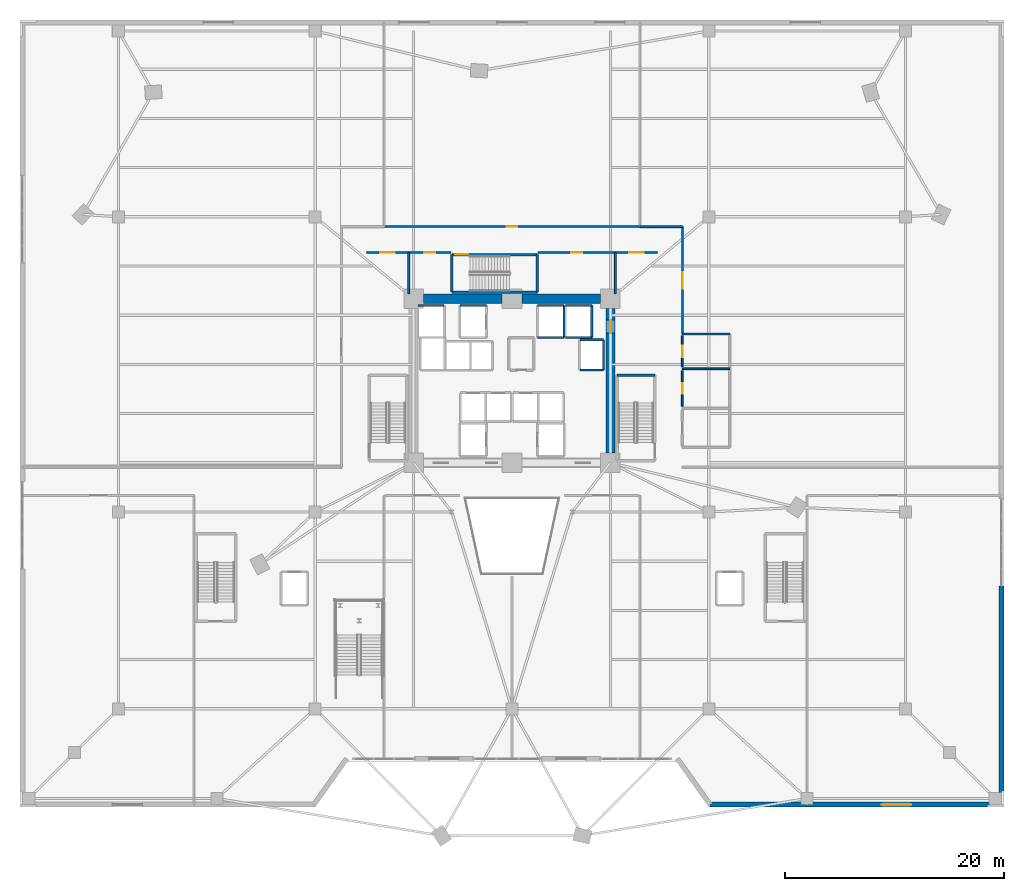
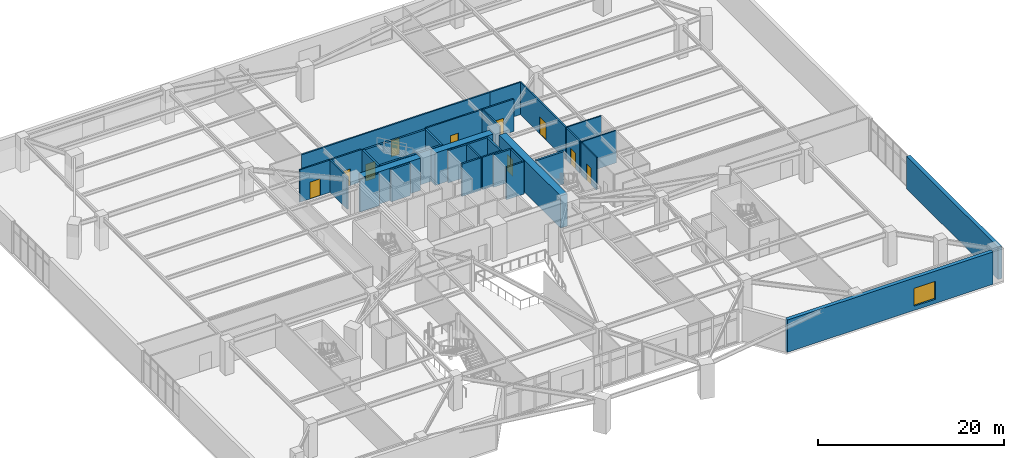
# One storey, part 21 of 29: 34 walls, 10 doors, 1 window, 11 openings.
"""IFC4 building model written with IfcOpenShell, lengths in metres."""

from ifc_helpers import new_model, si_unit, direction, frame, frame_2d, origin, place, context, subcontext, project, spatial, rectangle, extrude, source, transform, mapped, material, layer, layer_set, type_object, element, fill, save


model = new_model("IFC4")

# Units and contexts
model_context = context("Model", 3, precision=1e-05, world=origin(), true_north=direction((0.0, 1.0)))
body_context = subcontext(model_context, "Body", "Model", "MODEL_VIEW")
ifc_project = project(units=[si_unit("LENGTHUNIT", "METRE"), si_unit("AREAUNIT", "SQUARE_METRE"), si_unit("VOLUMEUNIT", "CUBIC_METRE"), si_unit("PLANEANGLEUNIT", "RADIAN"), si_unit("MASSUNIT", "GRAM", prefix="KILO")], contexts=[model_context])

# Site, building, storey
site_placement = place(None, origin())
site = spatial("IfcSite", under=ifc_project, at=site_placement, CompositionType="ELEMENT")
building_placement = place(site_placement, origin())
building = spatial("IfcBuilding", under=site, at=building_placement, Name="Liaohun Quay Tower", CompositionType="ELEMENT")
storey_placement = place(building_placement, frame((0.0, 0.0, 5.39990234375)))
storey = spatial("IfcBuildingStorey", under=building, at=storey_placement, Name="L02", CompositionType="ELEMENT", Elevation=5.39990234375)

# Walls
ifc_material_1 = material(Name="Concrete C60", Category="concrete")
ifc_layer_1 = layer(ifc_material_1, 0.85009765625, Name="Concrete C60", Category="concrete")
ifc_layer_set_1 = layer_set([ifc_layer_1], Name="Concrete C60")
wall_type_1 = type_object("IfcWallType", Name="WAL-COR-Z1", PredefinedType="SHEAR", material=ifc_layer_set_1)
for number, where, z_axis, x_axis, name in (
    (1, (51.89990234375, 61.5, 0.0), (0.0, 0.0, 1.0), (1.0, 0.0, 0.0), "L02 Central Core Shear Wall N-W"),
    (2, (60.89990234375, 61.5, 0.0), (0.0, 0.0, 1.0), (1.0, 0.0, 0.0), "L02 Central Core Shear Wall N-E"),
):
    element("IfcWall", number, at=place(storey_placement, frame(where, z_axis=z_axis, x_axis=x_axis)), inside=storey, type_object=wall_type_1, Name=name, PredefinedType="SHEAR", context=body_context, shape_type="SweptSolid", body=[
        extrude(rectangle(XDim=7.2001953125, YDim=0.85009765625, at=frame_2d((3.60009765625, 0.0))), origin(), (0.0, 0.0, 1.0), 4.25),
    ])

# Wall, opening, door
wall_1_placement = place(storey_placement, frame((69.0, 60.60009765625, 0.0), z_axis=(0.0, 0.0, 1.0), x_axis=(0.0, -1.0, 0.0)))
wall_1 = element("IfcWall", 3, at=wall_1_placement, inside=storey, type_object=wall_type_1, Name="L02 Central Core Shear Wall E", PredefinedType="SHEAR", context=body_context, shape_type="SweptSolid", body=[
    extrude(rectangle(XDim=13.2001953125, YDim=0.85009765625, at=frame_2d((6.60009765625, 0.0))), origin(), (0.0, 0.0, 1.0), 4.25),
])
shared_shape_1 = source(origin(), body_context, "Body", "SweptSolid", [
    extrude(rectangle(XDim=1.199951171875, YDim=2.199951171875, at=frame_2d((0.60009765625, 1.10009765625))), frame((0.0, 0.43505859375, 0.0), z_axis=(0.0, -1.0, 0.0), x_axis=(1.0, 0.0, 0.0)), (0.0, 0.0, 1.0), 0.8701171875),
])
opening_1_placement = place(wall_1_placement, frame((1.050048828125, 0.0, 0.0)))
opening_1 = element("IfcOpeningElement", 4, at=opening_1_placement, cuts=wall_1, Name="Opening SD1", PredefinedType="OPENING", context=body_context, shape_type="MappedRepresentation", body=[
    mapped(shared_shape_1, transform((0.0, 0.0, 0.0), x_axis=(1.0, 0.0, 0.0), y_axis=(0.0, 1.0, 0.0), z_axis=(0.0, 0.0, 1.0), scale=1.0)),
])
ifc_material_2 = material(Name="Galvanised steel fire door", Category="steel")
door_type_1 = type_object("IfcDoorType", Name="DOR-STR-1200", OperationType="NOTDEFINED", PredefinedType="DOOR", material=ifc_material_2)
shared_shape_2 = source(origin(), body_context, "Body", "SweptSolid", [
    extrude(rectangle(XDim=1.199951171875, YDim=2.199951171875, at=frame_2d((0.60009765625, 1.10009765625))), frame((0.0, 0.02490234375, 0.0), z_axis=(0.0, -1.0, 0.0), x_axis=(1.0, 0.0, 0.0)), (0.0, 0.0, 1.0), 0.050048828125),
])
door_1_placement = place(opening_1_placement, origin())
door_1 = element("IfcDoor", 5, at=door_1_placement, inside=storey, type_object=door_type_1, Name="L02 North-East Core Lobby Smokeproof Door", OperationType="SINGLE_SWING_LEFT", OverallHeight=2.199951171875, OverallWidth=1.199951171875, PredefinedType="DOOR", context=body_context, shape_type="MappedRepresentation", body=[
    mapped(shared_shape_2, transform((0.0, 0.0, 0.0), x_axis=(1.0, 0.0, 0.0), y_axis=(0.0, 1.0, 0.0), z_axis=(0.0, 0.0, 1.0), scale=1.0)),
])
fill(opening_1, door_1)

# Wall, opening, window
ifc_material_3 = material(Name="Precast concrete C50 with granite facing", Category="masonry")
ifc_layer_2 = layer(ifc_material_3, 0.4599609375, Name="Precast concrete C50 with granite facing", Category="masonry")
ifc_layer_set_2 = layer_set([ifc_layer_2], Name="Precast concrete C50 with granite facing")
wall_type_2 = type_object("IfcWallType", Name="WAL-EXT-POD", PredefinedType="SOLIDWALL", material=ifc_layer_set_2)
wall_2_placement = place(storey_placement, frame((78.117919921875, 15.22998046875, 0.0), z_axis=(0.0, 0.0, 1.0), x_axis=(1.0, 0.0, 0.0)))
wall_2 = element("IfcWall", 6, at=wall_2_placement, inside=storey, type_object=wall_type_2, Name="L02 Podium Precast Facade Wall 04", PredefinedType="SOLIDWALL", context=body_context, shape_type="SweptSolid", body=[
    extrude(rectangle(XDim=25.5419921875, YDim=0.4599609375, at=frame_2d((12.77099609375, 0.0))), origin(), (0.0, 0.0, 1.0), 4.25),
])
shared_shape_3 = source(origin(), body_context, "Body", "SweptSolid", [
    extrude(rectangle(XDim=2.699951171875, YDim=2.35009765625, at=frame_2d((1.35009765625, 1.175048828125))), frame((0.0, 0.239990234375, 0.0), z_axis=(0.0, -1.0, 0.0), x_axis=(1.0, 0.0, 0.0)), (0.0, 0.0, 1.0), 0.47998046875),
])
opening_2_placement = place(wall_2_placement, frame((15.677978515625, 0.0, 0.550048828125)))
opening_2 = element("IfcOpeningElement", 7, at=opening_2_placement, cuts=wall_2, Name="Opening W06", PredefinedType="OPENING", context=body_context, shape_type="MappedRepresentation", body=[
    mapped(shared_shape_3, transform((0.0, 0.0, 0.0), x_axis=(1.0, 0.0, 0.0), y_axis=(0.0, 1.0, 0.0), z_axis=(0.0, 0.0, 1.0), scale=1.0)),
])
ifc_material_4 = material(Name="Triple Low-E waterfront podium glazing", Category="glass")
window_type = type_object("IfcWindowType", Name="WIN-POD-ARC", PartitioningType="TRIPLE_PANEL_VERTICAL", PredefinedType="WINDOW", material=ifc_material_4)
shared_shape_4 = source(origin(), body_context, "Body", "SweptSolid", [
    extrude(rectangle(XDim=2.699951171875, YDim=2.35009765625, at=frame_2d((1.35009765625, 1.175048828125))), frame((0.0, 0.030029296875, 0.0), z_axis=(0.0, -1.0, 0.0), x_axis=(1.0, 0.0, 0.0)), (0.0, 0.0, 1.0), 0.06005859375),
])
window_placement = place(opening_2_placement, origin())
window = element("IfcWindow", 8, at=window_placement, inside=storey, type_object=window_type, Name="L02 Podium Punched Window W06-04-02", OverallHeight=2.35009765625, OverallWidth=2.699951171875, PartitioningType="TRIPLE_PANEL_VERTICAL", PredefinedType="WINDOW", context=body_context, shape_type="MappedRepresentation", body=[
    mapped(shared_shape_4, transform((0.0, 0.0, 0.0), x_axis=(1.0, 0.0, 0.0), y_axis=(0.0, 1.0, 0.0), z_axis=(0.0, 0.0, 1.0), scale=1.0)),
])
fill(opening_2, window)

# Wall
wall_3_placement = place(storey_placement, frame((104.77001953125, 15.469970703125, 0.0), z_axis=(0.0, 0.0, 1.0), x_axis=(0.0, 1.0, 0.0)))
element("IfcWall", 9, at=wall_3_placement, inside=storey, type_object=wall_type_2, Name="L02 Podium Precast Facade Wall 5-1", PredefinedType="SOLIDWALL", context=body_context, shape_type="SweptSolid", body=[
    extrude(rectangle(XDim=19.760009765625, YDim=0.4599609375, at=frame_2d((9.8798828125, 0.0))), origin(), (0.0, 0.0, 1.0), 4.25),
])

# Wall, opening, door
ifc_material_5 = material(Name="Autoclaved aerated concrete blockwork", Category="masonry")
ifc_layer_3 = layer(ifc_material_5, 0.179931640625, Name="Autoclaved aerated concrete blockwork", Category="masonry")
ifc_layer_set_3 = layer_set([ifc_layer_3], Name="Autoclaved aerated concrete blockwork")
wall_type_3 = type_object("IfcWallType", Name="WAL-PRT-COR", PredefinedType="PARTITIONING", material=ifc_layer_set_3)
wall_4_placement = place(storey_placement, frame((50.5400390625, 65.719970703125, 0.0), z_axis=(0.0, 0.0, 1.0), x_axis=(1.0, 0.0, 0.0)))
wall_4 = element("IfcWall", 10, at=wall_4_placement, inside=storey, type_object=wall_type_3, Name="L02 Interior Partition Wall 005", PredefinedType="PARTITIONING", context=body_context, shape_type="SweptSolid", body=[
    extrude(rectangle(XDim=3.869873046875, YDim=0.179931640625, at=frame_2d((1.93505859375, 0.0))), origin(), (0.0, 0.0, 1.0), 4.25),
])
shared_shape_5 = source(origin(), body_context, "Body", "SweptSolid", [
    extrude(rectangle(XDim=1.0, YDim=2.199951171875, at=frame_2d((0.5, 1.10009765625))), frame((0.0, 0.099853515625, 0.0), z_axis=(0.0, -1.0, 0.0), x_axis=(1.0, 0.0, 0.0)), (0.0, 0.0, 1.0), 0.199951171875),
])
opening_3_placement = place(wall_4_placement, frame((1.43505859375, 0.0, 0.0)))
opening_3 = element("IfcOpeningElement", 11, at=opening_3_placement, cuts=wall_4, Name="Opening OD1", PredefinedType="OPENING", context=body_context, shape_type="MappedRepresentation", body=[
    mapped(shared_shape_5, transform((0.0, 0.0, 0.0), x_axis=(1.0, 0.0, 0.0), y_axis=(0.0, 1.0, 0.0), z_axis=(0.0, 0.0, 1.0), scale=1.0)),
])
ifc_material_6 = material(Name="Solid-core oak veneer timber leaf in steel frame", Category="steel")
door_type_2 = type_object("IfcDoorType", Name="DOR-OFF-1000", OperationType="NOTDEFINED", PredefinedType="DOOR", material=ifc_material_6)
shared_shape_6 = source(origin(), body_context, "Body", "SweptSolid", [
    extrude(rectangle(XDim=1.0, YDim=2.199951171875, at=frame_2d((0.5, 1.10009765625))), frame((0.0, 0.02490234375, 0.0), z_axis=(0.0, -1.0, 0.0), x_axis=(1.0, 0.0, 0.0)), (0.0, 0.0, 1.0), 0.050048828125),
])
door_2_placement = place(opening_3_placement, origin())
door_2 = element("IfcDoor", 12, at=door_2_placement, inside=storey, type_object=door_type_2, Name="L02 Podium Print and Telecom Room Door", OperationType="SINGLE_SWING_LEFT", OverallHeight=2.199951171875, OverallWidth=1.0, PredefinedType="DOOR", context=body_context, shape_type="MappedRepresentation", body=[
    mapped(shared_shape_6, transform((0.0, 0.0, 0.0), x_axis=(1.0, 0.0, 0.0), y_axis=(0.0, 1.0, 0.0), z_axis=(0.0, 0.0, 1.0), scale=1.0)),
])
fill(opening_3, door_2)

wall_5_placement = place(storey_placement, frame((62.389892578125, 65.719970703125, 0.0), z_axis=(0.0, 0.0, 1.0), x_axis=(1.0, 0.0, 0.0)))
wall_5 = element("IfcWall", 13, at=wall_5_placement, inside=storey, type_object=wall_type_3, Name="L02 Interior Partition Wall 006", PredefinedType="PARTITIONING", context=body_context, shape_type="SweptSolid", body=[
    extrude(rectangle(XDim=7.070068359375, YDim=0.179931640625, at=frame_2d((3.53515625, 0.0))), origin(), (0.0, 0.0, 1.0), 4.25),
])
opening_4_placement = place(wall_5_placement, frame((3.034912109375, 0.0, 0.0)))
opening_4 = element("IfcOpeningElement", 14, at=opening_4_placement, cuts=wall_5, Name="Opening OD1", PredefinedType="OPENING", context=body_context, shape_type="MappedRepresentation", body=[
    mapped(shared_shape_5, transform((0.0, 0.0, 0.0), x_axis=(1.0, 0.0, 0.0), y_axis=(0.0, 1.0, 0.0), z_axis=(0.0, 0.0, 1.0), scale=1.0)),
])
door_3_placement = place(opening_4_placement, origin())
door_3 = element("IfcDoor", 15, at=door_3_placement, inside=storey, type_object=door_type_2, Name="L02 Podium Archive and Mail Room Door", OperationType="SINGLE_SWING_RIGHT", OverallHeight=2.199951171875, OverallWidth=1.0, PredefinedType="DOOR", context=body_context, shape_type="MappedRepresentation", body=[
    mapped(shared_shape_6, transform((0.0, 0.0, 0.0), x_axis=(1.0, 0.0, 0.0), y_axis=(0.0, 1.0, 0.0), z_axis=(0.0, 0.0, 1.0), scale=1.0)),
])
fill(opening_4, door_3)

wall_6_placement = place(storey_placement, frame((46.699951171875, 65.719970703125, 0.0), z_axis=(0.0, 0.0, 1.0), x_axis=(1.0, 0.0, 0.0)))
wall_6 = element("IfcWall", 16, at=wall_6_placement, inside=storey, type_object=wall_type_3, Name="L02 Interior Partition Wall 007", PredefinedType="PARTITIONING", context=body_context, shape_type="SweptSolid", body=[
    extrude(rectangle(XDim=3.840087890625, YDim=0.179931640625, at=frame_2d((1.919921875, 0.0))), origin(), (0.0, 0.0, 1.0), 4.25),
])
shared_shape_7 = source(origin(), body_context, "Body", "SweptSolid", [
    extrude(rectangle(XDim=1.300048828125, YDim=2.199951171875, at=frame_2d((0.64990234375, 1.10009765625))), frame((0.0, 0.099853515625, 0.0), z_axis=(0.0, -1.0, 0.0), x_axis=(1.0, 0.0, 0.0)), (0.0, 0.0, 1.0), 0.199951171875),
])
opening_5_placement = place(wall_6_placement, frame((1.27001953125, 0.0, 0.0)))
opening_5 = element("IfcOpeningElement", 17, at=opening_5_placement, cuts=wall_6, Name="Opening FD1", PredefinedType="OPENING", context=body_context, shape_type="MappedRepresentation", body=[
    mapped(shared_shape_7, transform((0.0, 0.0, 0.0), x_axis=(1.0, 0.0, 0.0), y_axis=(0.0, 1.0, 0.0), z_axis=(0.0, 0.0, 1.0), scale=1.0)),
])
ifc_material_7 = material(Name="Galvanised steel smokeproof fire door", Category="steel")
door_type_3 = type_object("IfcDoorType", Name="DOR-FFL-1300", OperationType="NOTDEFINED", PredefinedType="DOOR", material=ifc_material_7)
shared_shape_8 = source(origin(), body_context, "Body", "SweptSolid", [
    extrude(rectangle(XDim=1.300048828125, YDim=2.199951171875, at=frame_2d((0.64990234375, 1.10009765625))), frame((0.0, 0.02490234375, 0.0), z_axis=(0.0, -1.0, 0.0), x_axis=(1.0, 0.0, 0.0)), (0.0, 0.0, 1.0), 0.050048828125),
])
door_4_placement = place(opening_5_placement, origin())
door_4 = element("IfcDoor", 18, at=door_4_placement, inside=storey, type_object=door_type_3, Name="L02 Podium West Core Vestibule Door", OperationType="SINGLE_SWING_LEFT", OverallHeight=2.199951171875, OverallWidth=1.300048828125, PredefinedType="DOOR", context=body_context, shape_type="MappedRepresentation", body=[
    mapped(shared_shape_8, transform((0.0, 0.0, 0.0), x_axis=(1.0, 0.0, 0.0), y_axis=(0.0, 1.0, 0.0), z_axis=(0.0, 0.0, 1.0), scale=1.0)),
])
fill(opening_5, door_4)

wall_7_placement = place(storey_placement, frame((69.4599609375, 65.719970703125, 0.0), z_axis=(0.0, 0.0, 1.0), x_axis=(1.0, 0.0, 0.0)))
wall_7 = element("IfcWall", 19, at=wall_7_placement, inside=storey, type_object=wall_type_3, Name="L02 Interior Partition Wall 008", PredefinedType="PARTITIONING", context=body_context, shape_type="SweptSolid", body=[
    extrude(rectangle(XDim=3.840087890625, YDim=0.179931640625, at=frame_2d((1.919921875, 0.0))), origin(), (0.0, 0.0, 1.0), 4.25),
])
opening_6_placement = place(wall_7_placement, frame((1.27001953125, 0.0, 0.0)))
opening_6 = element("IfcOpeningElement", 20, at=opening_6_placement, cuts=wall_7, Name="Opening FD1", PredefinedType="OPENING", context=body_context, shape_type="MappedRepresentation", body=[
    mapped(shared_shape_7, transform((0.0, 0.0, 0.0), x_axis=(1.0, 0.0, 0.0), y_axis=(0.0, 1.0, 0.0), z_axis=(0.0, 0.0, 1.0), scale=1.0)),
])
door_5_placement = place(opening_6_placement, origin())
door_5 = element("IfcDoor", 21, at=door_5_placement, inside=storey, type_object=door_type_3, Name="L02 Podium East Core Vestibule Door", OperationType="SINGLE_SWING_RIGHT", OverallHeight=2.199951171875, OverallWidth=1.300048828125, PredefinedType="DOOR", context=body_context, shape_type="MappedRepresentation", body=[
    mapped(shared_shape_8, transform((0.0, 0.0, 0.0), x_axis=(1.0, 0.0, 0.0), y_axis=(0.0, 1.0, 0.0), z_axis=(0.0, 0.0, 1.0), scale=1.0)),
])
fill(opening_6, door_5)

wall_8_placement = place(storey_placement, frame((75.580078125, 58.280029296875, 0.0), z_axis=(0.0, 0.0, 1.0), x_axis=(0.0, 1.0, 0.0)))
wall_8 = element("IfcWall", 22, at=wall_8_placement, inside=storey, type_object=wall_type_3, Name="L02 Interior Partition Wall 014", PredefinedType="PARTITIONING", context=body_context, shape_type="SweptSolid", body=[
    extrude(rectangle(XDim=9.820068359375, YDim=0.179931640625, at=frame_2d((4.91015625, 0.0))), origin(), (0.0, 0.0, 1.0), 4.25),
])
shared_shape_9 = source(origin(), body_context, "Body", "SweptSolid", [
    extrude(rectangle(XDim=1.5, YDim=2.199951171875, at=frame_2d((0.75, 1.10009765625))), frame((0.0, 0.099853515625, 0.0), z_axis=(0.0, -1.0, 0.0), x_axis=(1.0, 0.0, 0.0)), (0.0, 0.0, 1.0), 0.199951171875),
])
opening_7_placement = place(wall_8_placement, frame((4.159912109375, 0.0, 0.0)))
opening_7 = element("IfcOpeningElement", 23, at=opening_7_placement, cuts=wall_8, Name="Opening OD2", PredefinedType="OPENING", context=body_context, shape_type="MappedRepresentation", body=[
    mapped(shared_shape_9, transform((0.0, 0.0, 0.0), x_axis=(1.0, 0.0, 0.0), y_axis=(0.0, 1.0, 0.0), z_axis=(0.0, 0.0, 1.0), scale=1.0)),
])
ifc_material_8 = material(Name="Acoustic oak veneer double door")
door_type_4 = type_object("IfcDoorType", Name="DOR-OFF-1500", OperationType="DOUBLE_DOOR_SINGLE_SWING", PredefinedType="DOOR", material=ifc_material_8)
shared_shape_10 = source(origin(), body_context, "Body", "SweptSolid", [
    extrude(rectangle(XDim=1.5, YDim=2.199951171875, at=frame_2d((0.75, 1.10009765625))), frame((0.0, 0.02490234375, 0.0), z_axis=(0.0, -1.0, 0.0), x_axis=(1.0, 0.0, 0.0)), (0.0, 0.0, 1.0), 0.050048828125),
])
door_6_placement = place(opening_7_placement, origin())
door_6 = element("IfcDoor", 24, at=door_6_placement, inside=storey, type_object=door_type_4, Name="L02 Northeast Financial Suite Door", OperationType="DOUBLE_DOOR_SINGLE_SWING", OverallHeight=2.199951171875, OverallWidth=1.5, PredefinedType="DOOR", context=body_context, shape_type="MappedRepresentation", body=[
    mapped(shared_shape_10, transform((0.0, 0.0, 0.0), x_axis=(1.0, 0.0, 0.0), y_axis=(0.0, 1.0, 0.0), z_axis=(0.0, 0.0, 1.0), scale=1.0)),
])
fill(opening_7, door_6)

wall_9_placement = place(storey_placement, frame((48.300048828125, 68.10009765625, 0.0), z_axis=(0.0, 0.0, 1.0), x_axis=(1.0, 0.0, 0.0)))
wall_9 = element("IfcWall", 25, at=wall_9_placement, inside=storey, type_object=wall_type_3, Name="L02 Interior Partition Wall 015", PredefinedType="PARTITIONING", context=body_context, shape_type="SweptSolid", body=[
    extrude(rectangle(XDim=23.39990234375, YDim=0.179931640625, at=frame_2d((11.699951171875, 0.0))), origin(), (0.0, 0.0, 1.0), 4.25),
])
opening_8_placement = place(wall_9_placement, frame((11.199951171875, 0.0, 0.0)))
opening_8 = element("IfcOpeningElement", 26, at=opening_8_placement, cuts=wall_9, Name="Opening OD1", PredefinedType="OPENING", context=body_context, shape_type="MappedRepresentation", body=[
    mapped(shared_shape_5, transform((0.0, 0.0, 0.0), x_axis=(1.0, 0.0, 0.0), y_axis=(0.0, 1.0, 0.0), z_axis=(0.0, 0.0, 1.0), scale=1.0)),
])
door_7_placement = place(opening_8_placement, origin())
door_7 = element("IfcDoor", 27, at=door_7_placement, inside=storey, type_object=door_type_2, Name="L02 Concourse VIP Reception Door", OperationType="SINGLE_SWING_LEFT", OverallHeight=2.199951171875, OverallWidth=1.0, PredefinedType="DOOR", context=body_context, shape_type="MappedRepresentation", body=[
    mapped(shared_shape_6, transform((0.0, 0.0, 0.0), x_axis=(1.0, 0.0, 0.0), y_axis=(0.0, 1.0, 0.0), z_axis=(0.0, 0.0, 1.0), scale=1.0)),
])
fill(opening_8, door_7)

# Walls
wall_10_placement = place(storey_placement, frame((71.699951171875, 68.10009765625, 0.0), z_axis=(0.0, 0.0, 1.0), x_axis=(1.0, 0.0, 0.0)))
element("IfcWall", 28, at=wall_10_placement, inside=storey, type_object=wall_type_3, Name="L02 Interior Partition Wall 027", PredefinedType="PARTITIONING", context=body_context, shape_type="SweptSolid", body=[
    extrude(rectangle(XDim=3.880126953125, YDim=0.179931640625, at=frame_2d((1.93994140625, 0.0))), origin(), (0.0, 0.0, 1.0), 4.25),
])
for number, where, z_axis, x_axis, name in (
    (29, (50.5400390625, 61.949951171875, 0.0), (0.0, 0.0, 1.0), (0.0, 1.0, 0.0), "L02 Interior Partition Wall 035"),
    (30, (69.4599609375, 61.949951171875, 0.0), (0.0, 0.0, 1.0), (0.0, 1.0, 0.0), "L02 Interior Partition Wall 036"),
):
    element("IfcWall", number, at=place(storey_placement, frame(where, z_axis=z_axis, x_axis=x_axis)), inside=storey, type_object=wall_type_3, Name=name, PredefinedType="PARTITIONING", context=body_context, shape_type="SweptSolid", body=[
        extrude(rectangle(XDim=3.77001953125, YDim=0.179931640625, at=frame_2d((1.885009765625, 0.0))), origin(), (0.0, 0.0, 1.0), 4.25),
    ])

# Wall, opening, door
ifc_material_9 = material(Name="Moisture-resistant masonry blockwork", Category="masonry")
ifc_layer_4 = layer(ifc_material_9, 0.159912109375, Name="Moisture-resistant masonry blockwork", Category="masonry")
ifc_layer_set_4 = layer_set([ifc_layer_4], Name="Moisture-resistant masonry blockwork")
wall_type_4 = type_object("IfcWallType", Name="WAL-PRT-WET", PredefinedType="PARTITIONING", material=ifc_layer_set_4)
wall_11_placement = place(storey_placement, frame((75.580078125, 51.679931640625, 0.0), z_axis=(0.0, 0.0, 1.0), x_axis=(0.0, 1.0, 0.0)))
wall_11 = element("IfcWall", 31, at=wall_11_placement, inside=storey, type_object=wall_type_4, Name="L02 Interior Partition Wall 003", PredefinedType="PARTITIONING", context=body_context, shape_type="SweptSolid", body=[
    extrude(rectangle(XDim=3.239990234375, YDim=0.159912109375, at=frame_2d((1.6201171875, 0.0))), origin(), (0.0, 0.0, 1.0), 4.25),
])
shared_shape_11 = source(origin(), body_context, "Body", "SweptSolid", [
    extrude(rectangle(XDim=0.949951171875, YDim=2.14990234375, at=frame_2d((0.47509765625, 1.074951171875))), frame((0.0, 0.08984375, 0.0), z_axis=(0.0, -1.0, 0.0), x_axis=(1.0, 0.0, 0.0)), (0.0, 0.0, 1.0), 0.179931640625),
])
opening_9_placement = place(wall_11_placement, frame((1.14501953125, 0.0, 0.0)))
opening_9 = element("IfcOpeningElement", 32, at=opening_9_placement, cuts=wall_11, Name="Opening WD1", PredefinedType="OPENING", context=body_context, shape_type="MappedRepresentation", body=[
    mapped(shared_shape_11, transform((0.0, 0.0, 0.0), x_axis=(1.0, 0.0, 0.0), y_axis=(0.0, 1.0, 0.0), z_axis=(0.0, 0.0, 1.0), scale=1.0)),
])
ifc_material_10 = material(Name="Moisture-resistant laminate timber leaf", Category="wood")
door_type_5 = type_object("IfcDoorType", Name="DOR-WC-950", OperationType="NOTDEFINED", PredefinedType="DOOR", material=ifc_material_10)
shared_shape_12 = source(origin(), body_context, "Body", "SweptSolid", [
    extrude(rectangle(XDim=0.949951171875, YDim=2.14990234375, at=frame_2d((0.47509765625, 1.074951171875))), frame((0.0, 0.02490234375, 0.0), z_axis=(0.0, -1.0, 0.0), x_axis=(1.0, 0.0, 0.0)), (0.0, 0.0, 1.0), 0.050048828125),
])
door_8_placement = place(opening_9_placement, origin())
door_8 = element("IfcDoor", 33, at=door_8_placement, inside=storey, type_object=door_type_5, Name="L02 Podium Female Restroom WC Door", OperationType="SINGLE_SWING_LEFT", OverallHeight=2.14990234375, OverallWidth=0.949951171875, PredefinedType="DOOR", context=body_context, shape_type="MappedRepresentation", body=[
    mapped(shared_shape_12, transform((0.0, 0.0, 0.0), x_axis=(1.0, 0.0, 0.0), y_axis=(0.0, 1.0, 0.0), z_axis=(0.0, 0.0, 1.0), scale=1.0)),
])
fill(opening_9, door_8)

wall_12_placement = place(storey_placement, frame((75.580078125, 55.280029296875, 0.0), z_axis=(0.0, 0.0, 1.0), x_axis=(0.0, 1.0, 0.0)))
wall_12 = element("IfcWall", 34, at=wall_12_placement, inside=storey, type_object=wall_type_4, Name="L02 Interior Partition Wall 004", PredefinedType="PARTITIONING", context=body_context, shape_type="SweptSolid", body=[
    extrude(rectangle(XDim=2.840087890625, YDim=0.159912109375, at=frame_2d((1.419921875, 0.0))), origin(), (0.0, 0.0, 1.0), 4.25),
])
shared_shape_13 = source(origin(), body_context, "Body", "SweptSolid", [
    extrude(rectangle(XDim=1.050048828125, YDim=2.14990234375, at=frame_2d((0.52490234375, 1.074951171875))), frame((0.0, 0.08984375, 0.0), z_axis=(0.0, -1.0, 0.0), x_axis=(1.0, 0.0, 0.0)), (0.0, 0.0, 1.0), 0.179931640625),
])
opening_10_placement = place(wall_12_placement, frame((0.89501953125, 0.0, 0.0)))
opening_10 = element("IfcOpeningElement", 35, at=opening_10_placement, cuts=wall_12, Name="Opening WD2", PredefinedType="OPENING", context=body_context, shape_type="MappedRepresentation", body=[
    mapped(shared_shape_13, transform((0.0, 0.0, 0.0), x_axis=(1.0, 0.0, 0.0), y_axis=(0.0, 1.0, 0.0), z_axis=(0.0, 0.0, 1.0), scale=1.0)),
])
ifc_material_11 = material(Name="Accessible outward-swinging laminate door")
door_type_6 = type_object("IfcDoorType", Name="DOR-AWC-1050", OperationType="NOTDEFINED", PredefinedType="DOOR", material=ifc_material_11)
shared_shape_14 = source(origin(), body_context, "Body", "SweptSolid", [
    extrude(rectangle(XDim=1.050048828125, YDim=2.14990234375, at=frame_2d((0.52490234375, 1.074951171875))), frame((0.0, 0.02490234375, 0.0), z_axis=(0.0, -1.0, 0.0), x_axis=(1.0, 0.0, 0.0)), (0.0, 0.0, 1.0), 0.050048828125),
])
door_9_placement = place(opening_10_placement, origin())
door_9 = element("IfcDoor", 36, at=door_9_placement, inside=storey, type_object=door_type_6, Name="L02 Podium Accessible WC Door", OperationType="SINGLE_SWING_RIGHT", OverallHeight=2.14990234375, OverallWidth=1.050048828125, PredefinedType="DOOR", context=body_context, shape_type="MappedRepresentation", body=[
    mapped(shared_shape_14, transform((0.0, 0.0, 0.0), x_axis=(1.0, 0.0, 0.0), y_axis=(0.0, 1.0, 0.0), z_axis=(0.0, 0.0, 1.0), scale=1.0)),
])
fill(opening_10, door_9)

# Walls
for number, where, z_axis, x_axis, name in (
    (37, (75.580078125, 55.10009765625, 0.0), (0.0, 0.0, 1.0), (1.0, 0.0, 0.0), "L02 Interior Partition Wall 022"),
    (38, (75.580078125, 58.280029296875, 0.0), (0.0, 0.0, 1.0), (1.0, 0.0, 0.0), "L02 Interior Partition Wall 023"),
):
    element("IfcWall", number, at=place(storey_placement, frame(where, z_axis=z_axis, x_axis=x_axis)), inside=storey, type_object=wall_type_4, Name=name, PredefinedType="PARTITIONING", context=body_context, shape_type="SweptSolid", body=[
        extrude(rectangle(XDim=4.33984375, YDim=0.159912109375, at=frame_2d((2.169921875, 0.0))), origin(), (0.0, 0.0, 1.0), 4.25),
    ])
ifc_material_12 = material(Name="Concrete C50", Category="concrete")
ifc_layer_5 = layer(ifc_material_12, 0.239990234375, Name="Concrete C50", Category="concrete")
ifc_layer_set_5 = layer_set([ifc_layer_5], Name="Concrete C50")
wall_type_5 = type_object("IfcWallType", Name="WAL-SHF-200", PredefinedType="SOLIDWALL", material=ifc_layer_set_5)
wall_13_placement = place(storey_placement, frame((73.06005859375, 54.52001953125, 0.0), z_axis=(0.0, 0.0, 1.0), x_axis=(-1.0, 0.0, 0.0)))
element("IfcWall", 39, at=wall_13_placement, inside=storey, type_object=wall_type_5, Name="L02 Stairwell ST-2 Structural Core Wall N", PredefinedType="SOLIDWALL", context=body_context, shape_type="SweptSolid", body=[
    extrude(rectangle(XDim=3.43994140625, YDim=0.239990234375, at=frame_2d((1.719970703125, 0.0))), origin(), (0.0, 0.0, 1.0), 4.25),
])
wall_14_placement = place(storey_placement, frame((54.5, 62.10009765625, 0.0), z_axis=(0.0, 0.0, 1.0), x_axis=(1.0, 0.0, 0.0)))
element("IfcWall", 40, at=wall_14_placement, inside=storey, type_object=wall_type_5, Name="L02 Stairwell ST-3 Structural Core Wall S", PredefinedType="SOLIDWALL", context=body_context, shape_type="SweptSolid", body=[
    extrude(rectangle(XDim=7.820068359375, YDim=0.239990234375, at=frame_2d((3.91015625, 0.0))), origin(), (0.0, 0.0, 1.0), 4.25),
])
wall_15_placement = place(storey_placement, frame((62.320068359375, 62.10009765625, 0.0), z_axis=(0.0, 0.0, 1.0), x_axis=(0.0, 1.0, 0.0)))
element("IfcWall", 41, at=wall_15_placement, inside=storey, type_object=wall_type_5, Name="L02 Stairwell ST-3 Structural Core Wall E", PredefinedType="SOLIDWALL", context=body_context, shape_type="SweptSolid", body=[
    extrude(rectangle(XDim=3.43994140625, YDim=0.239990234375, at=frame_2d((1.719970703125, 0.0))), origin(), (0.0, 0.0, 1.0), 4.25),
])

# Wall, opening, door
wall_16_placement = place(storey_placement, frame((62.320068359375, 65.5400390625, 0.0), z_axis=(0.0, 0.0, 1.0), x_axis=(-1.0, 0.0, 0.0)))
wall_16 = element("IfcWall", 42, at=wall_16_placement, inside=storey, type_object=wall_type_5, Name="L02 Stairwell ST-3 Structural Core Wall N", PredefinedType="SOLIDWALL", context=body_context, shape_type="SweptSolid", body=[
    extrude(rectangle(XDim=7.820068359375, YDim=0.239990234375, at=frame_2d((3.91015625, 0.0))), origin(), (0.0, 0.0, 1.0), 4.25),
])
shared_shape_15 = source(origin(), body_context, "Body", "SweptSolid", [
    extrude(rectangle(XDim=1.199951171875, YDim=2.199951171875, at=frame_2d((0.60009765625, 1.10009765625))), frame((0.0, 0.1298828125, 0.0), z_axis=(0.0, -1.0, 0.0), x_axis=(1.0, 0.0, 0.0)), (0.0, 0.0, 1.0), 0.260009765625),
])
opening_11_placement = place(wall_16_placement, frame((6.300048828125, 0.0, 0.0)))
opening_11 = element("IfcOpeningElement", 43, at=opening_11_placement, cuts=wall_16, Name="Opening SD1", PredefinedType="OPENING", context=body_context, shape_type="MappedRepresentation", body=[
    mapped(shared_shape_15, transform((0.0, 0.0, 0.0), x_axis=(1.0, 0.0, 0.0), y_axis=(0.0, 1.0, 0.0), z_axis=(0.0, 0.0, 1.0), scale=1.0)),
])
door_10_placement = place(opening_11_placement, origin())
door_10 = element("IfcDoor", 44, at=door_10_placement, inside=storey, type_object=door_type_1, Name="L02 Protected Stair ST-3 Fire Door", OperationType="SINGLE_SWING_RIGHT", OverallHeight=2.199951171875, OverallWidth=1.199951171875, PredefinedType="DOOR", context=body_context, shape_type="MappedRepresentation", body=[
    mapped(shared_shape_2, transform((0.0, 0.0, 0.0), x_axis=(1.0, 0.0, 0.0), y_axis=(0.0, 1.0, 0.0), z_axis=(0.0, 0.0, 1.0), scale=1.0)),
])
fill(opening_11, door_10)

# Walls
wall_17_placement = place(storey_placement, frame((54.5, 65.5400390625, 0.0), z_axis=(0.0, 0.0, 1.0), x_axis=(0.0, -1.0, 0.0)))
element("IfcWall", 45, at=wall_17_placement, inside=storey, type_object=wall_type_5, Name="L02 Stairwell ST-3 Structural Core Wall W", PredefinedType="SOLIDWALL", context=body_context, shape_type="SweptSolid", body=[
    extrude(rectangle(XDim=3.43994140625, YDim=0.239990234375, at=frame_2d((1.719970703125, 0.0))), origin(), (0.0, 0.0, 1.0), 4.25),
])
for number, where, z_axis, x_axis, name in (
    (46, (57.64990234375, 60.8798828125, 0.0), (0.0, 0.0, 1.0), (-1.0, 0.0, 0.0), "L02 Lift FF-03 Hoistway Wall N"),
    (47, (62.35009765625, 57.949951171875, 0.0), (0.0, 0.0, 1.0), (1.0, 0.0, 0.0), "L02 Lift OB-01 Hoistway Wall S"),
):
    element("IfcWall", number, at=place(storey_placement, frame(where, z_axis=z_axis, x_axis=x_axis)), inside=storey, type_object=wall_type_5, Name=name, PredefinedType="SOLIDWALL", context=body_context, shape_type="SweptSolid", body=[
        extrude(rectangle(XDim=2.39990234375, YDim=0.199951171875, at=frame_2d((1.199951171875, 0.0))), origin(), (0.0, 0.0, 1.0), 4.25),
    ])
wall_18_placement = place(storey_placement, frame((64.75, 57.949951171875, 0.0), z_axis=(0.0, 0.0, 1.0), x_axis=(0.0, 1.0, 0.0)))
element("IfcWall", 48, at=wall_18_placement, inside=storey, type_object=wall_type_5, Name="L02 Lift OB-01 Hoistway Wall E", PredefinedType="SOLIDWALL", context=body_context, shape_type="SweptSolid", body=[
    extrude(rectangle(XDim=2.929931640625, YDim=0.199951171875, at=frame_2d((1.46484375, 0.0))), origin(), (0.0, 0.0, 1.0), 4.25),
])
wall_19_placement = place(storey_placement, frame((64.75, 60.8798828125, 0.0), z_axis=(0.0, 0.0, 1.0), x_axis=(-1.0, 0.0, 0.0)))
element("IfcWall", 49, at=wall_19_placement, inside=storey, type_object=wall_type_5, Name="L02 Lift OB-01 Hoistway Wall N", PredefinedType="SOLIDWALL", context=body_context, shape_type="SweptSolid", body=[
    extrude(rectangle(XDim=2.39990234375, YDim=0.199951171875, at=frame_2d((1.199951171875, 0.0))), origin(), (0.0, 0.0, 1.0), 4.25),
])
wall_20_placement = place(storey_placement, frame((64.89990234375, 57.949951171875, 0.0), z_axis=(0.0, 0.0, 1.0), x_axis=(1.0, 0.0, 0.0)))
element("IfcWall", 50, at=wall_20_placement, inside=storey, type_object=wall_type_5, Name="L02 Lift OB-02 Hoistway Wall S", PredefinedType="SOLIDWALL", context=body_context, shape_type="SweptSolid", body=[
    extrude(rectangle(XDim=2.400146484375, YDim=0.199951171875, at=frame_2d((1.2001953125, 0.0))), origin(), (0.0, 0.0, 1.0), 4.25),
])
wall_21_placement = place(storey_placement, frame((67.300048828125, 57.949951171875, 0.0), z_axis=(0.0, 0.0, 1.0), x_axis=(0.0, 1.0, 0.0)))
element("IfcWall", 51, at=wall_21_placement, inside=storey, type_object=wall_type_5, Name="L02 Lift OB-02 Hoistway Wall E", PredefinedType="SOLIDWALL", context=body_context, shape_type="SweptSolid", body=[
    extrude(rectangle(XDim=2.929931640625, YDim=0.199951171875, at=frame_2d((1.46484375, 0.0))), origin(), (0.0, 0.0, 1.0), 4.25),
])
for number, where, z_axis, x_axis, name in (
    (52, (67.300048828125, 60.8798828125, 0.0), (0.0, 0.0, 1.0), (-1.0, 0.0, 0.0), "L02 Lift OB-02 Hoistway Wall N"),
    (53, (53.800048828125, 60.8798828125, 0.0), (0.0, 0.0, 1.0), (-1.0, 0.0, 0.0), "L02 Lift SH-01 Hoistway Wall N"),
):
    element("IfcWall", number, at=place(storey_placement, frame(where, z_axis=z_axis, x_axis=x_axis)), inside=storey, type_object=wall_type_5, Name=name, PredefinedType="SOLIDWALL", context=body_context, shape_type="SweptSolid", body=[
        extrude(rectangle(XDim=2.400146484375, YDim=0.199951171875, at=frame_2d((1.2001953125, 0.0))), origin(), (0.0, 0.0, 1.0), 4.25),
    ])
wall_22_placement = place(storey_placement, frame((66.199951171875, 55.0, 0.0), z_axis=(0.0, 0.0, 1.0), x_axis=(1.0, 0.0, 0.0)))
element("IfcWall", 54, at=wall_22_placement, inside=storey, type_object=wall_type_5, Name="L02 Lift SH-03 Hoistway Wall S", PredefinedType="SOLIDWALL", context=body_context, shape_type="SweptSolid", body=[
    extrude(rectangle(XDim=2.179931640625, YDim=0.199951171875, at=frame_2d((1.08984375, 0.0))), origin(), (0.0, 0.0, 1.0), 4.25),
])
wall_23_placement = place(storey_placement, frame((68.3798828125, 55.0, 0.0), z_axis=(0.0, 0.0, 1.0), x_axis=(0.0, 1.0, 0.0)))
element("IfcWall", 55, at=wall_23_placement, inside=storey, type_object=wall_type_5, Name="L02 Lift SH-03 Hoistway Wall E", PredefinedType="SOLIDWALL", context=body_context, shape_type="SweptSolid", body=[
    extrude(rectangle(XDim=2.75, YDim=0.199951171875, at=frame_2d((1.375, 0.0))), origin(), (0.0, 0.0, 1.0), 4.25),
])
wall_24_placement = place(storey_placement, frame((68.3798828125, 57.75, 0.0), z_axis=(0.0, 0.0, 1.0), x_axis=(-1.0, 0.0, 0.0)))
element("IfcWall", 56, at=wall_24_placement, inside=storey, type_object=wall_type_5, Name="L02 Lift SH-03 Hoistway Wall N", PredefinedType="SOLIDWALL", context=body_context, shape_type="SweptSolid", body=[
    extrude(rectangle(XDim=2.179931640625, YDim=0.199951171875, at=frame_2d((1.08984375, 0.0))), origin(), (0.0, 0.0, 1.0), 4.25),
])

save(model, "model.ifc")
